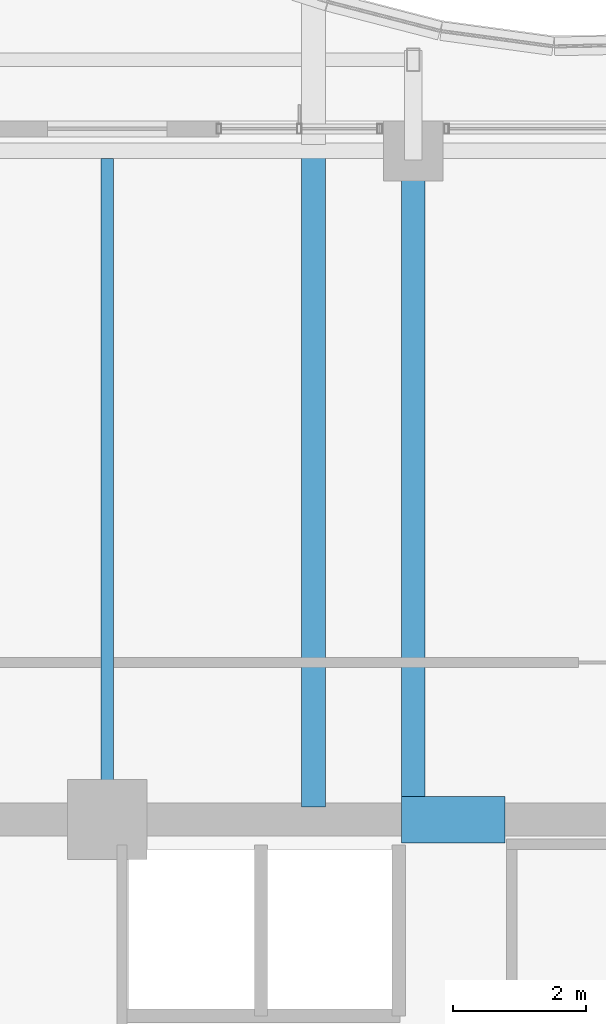
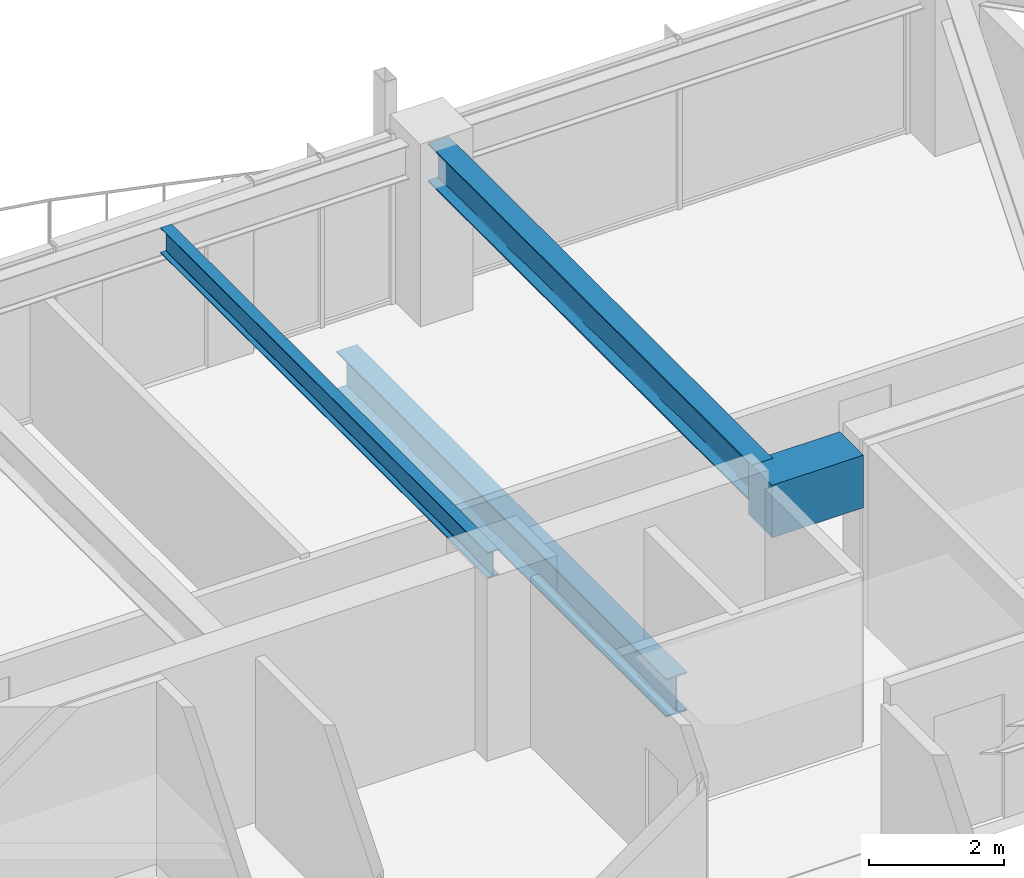
# One storey, part 19 of 37: 4 beams.
"""IFC4 building model written with IfcOpenShell, lengths in metres."""

from ifc_helpers import new_model, si_unit, direction, frame, origin, origin_2d, place, context, subcontext, project, spatial, rectangle, i_section, extrude, material, material_profile, profile_set, type_object, element, save


model = new_model("IFC4")

# Units and contexts
model_context = context("Model", 3, precision=1e-05, world=origin(), true_north=direction((0.0, 1.0)))
body_context = subcontext(model_context, "Body", "Model", "MODEL_VIEW")
ifc_project = project(units=[si_unit("LENGTHUNIT", "METRE"), si_unit("AREAUNIT", "SQUARE_METRE"), si_unit("VOLUMEUNIT", "CUBIC_METRE"), si_unit("PLANEANGLEUNIT", "RADIAN"), si_unit("MASSUNIT", "GRAM", prefix="KILO")], contexts=[model_context])

# Site, building, storey
site_placement = place(None, origin())
site = spatial("IfcSite", under=ifc_project, at=site_placement, CompositionType="ELEMENT")
building_placement = place(site_placement, origin())
building = spatial("IfcBuilding", under=site, at=building_placement, Name="Kolvaren Belvedere", CompositionType="ELEMENT")
storey_placement = place(building_placement, frame((0.0, 0.0, 173.39990234375)))
storey = spatial("IfcBuildingStorey", under=building, at=storey_placement, Name="L50", CompositionType="ELEMENT", Elevation=173.39990234375)

# Beams
ifc_material_1 = material(Name="Structural steel ASTM A992 Grade 50", Category="steel")
ifc_material_profile_1 = material_profile(ifc_material_1, i_section(OverallWidth=0.35498046875, OverallDepth=0.696044921875, WebThickness=0.015380859375, FlangeThickness=0.02490234375, FilletRadius=0.02197265625, at=origin_2d()), Name="W27X146")
ifc_profile_set_1 = profile_set([ifc_material_profile_1], Name="Structural steel ASTM A992 Grade 50")
beam_type_1 = type_object("IfcBeamType", Name="BM-GIRD-W27X146", PredefinedType="BEAM", material=ifc_profile_set_1)
beam_1_placement = place(storey_placement, frame((3.10009765625, 10.090087890625, -0.56787109375), z_axis=(0.0, 1.0, 0.0), x_axis=(-1.0, 0.0, 0.0)))
element("IfcBeam", 1, at=beam_1_placement, inside=storey, type_object=beam_type_1, Name="L50 Balcony Interior Back-Span Girder BAL-N-2", PredefinedType="BEAM", context=body_context, shape_type="SweptSolid", body=[
    extrude(i_section(OverallWidth=0.35498046875, OverallDepth=0.696044921875, WebThickness=0.015380859375, FlangeThickness=0.02490234375, FilletRadius=0.02197265625, at=origin_2d()), origin(), (0.0, 0.0, 1.0), 9.764892578125),
])
beam_2_placement = place(storey_placement, frame((4.60009765625, 10.14990234375, 2.732177734375), z_axis=(0.0, 1.0, 0.0), x_axis=(-1.0, 0.0, 0.0)))
element("IfcBeam", 2, at=beam_2_placement, inside=storey, type_object=beam_type_1, Name="L50 North Radial Girder P", PredefinedType="BEAM", context=body_context, shape_type="SweptSolid", body=[
    extrude(i_section(OverallWidth=0.35498046875, OverallDepth=0.696044921875, WebThickness=0.015380859375, FlangeThickness=0.02490234375, FilletRadius=0.02197265625, at=origin_2d()), origin(), (0.0, 0.0, 1.0), 9.59765625),
])
ifc_material_2 = material(Name="Structural steel ASTM A992 Grade 50", Category="steel")
ifc_material_profile_2 = material_profile(ifc_material_2, i_section(OverallWidth=0.19091796875, OverallDepth=0.4599609375, WebThickness=0.010009765625, FlangeThickness=0.01611328125, FilletRadius=0.014892578125, at=origin_2d()), Name="W18X55")
ifc_profile_set_2 = profile_set([ifc_material_profile_2], Name="Structural steel ASTM A992 Grade 50")
beam_type_2 = type_object("IfcBeamType", Name="BM-JOIST-W18X55", PredefinedType="BEAM", material=ifc_profile_set_2)
beam_3_placement = place(storey_placement, frame((0.0, 10.14990234375, 2.85009765625), z_axis=(0.0, 1.0, 0.0), x_axis=(-1.0, 0.0, 0.0)))
element("IfcBeam", 3, at=beam_3_placement, inside=storey, type_object=beam_type_2, Name="L50 North Centre Floor Beam", PredefinedType="BEAM", context=body_context, shape_type="SweptSolid", body=[
    extrude(i_section(OverallWidth=0.19091796875, OverallDepth=0.4599609375, WebThickness=0.010009765625, FlangeThickness=0.01611328125, FilletRadius=0.014892578125, at=origin_2d()), origin(), (0.0, 0.0, 1.0), 9.685546875),
])
ifc_material_3 = material(Name="Concrete C60/75", Category="concrete")
ifc_material_profile_3 = material_profile(ifc_material_3, rectangle(XDim=0.699951171875, YDim=0.949951171875, at=origin_2d()), Name="RC 700X950")
ifc_profile_set_3 = profile_set([ifc_material_profile_3], Name="Concrete C60/75")
beam_type_3 = type_object("IfcBeamType", Name="BM-LINT-950", PredefinedType="LINTEL", material=ifc_profile_set_3)
beam_4_placement = place(storey_placement, frame((4.419921875, 9.89990234375, 2.60498046875), z_axis=(1.0, 0.0, 0.0), x_axis=(0.0, 1.0, 0.0)))
element("IfcBeam", 4, at=beam_4_placement, inside=storey, type_object=beam_type_3, Name="L50 North Core Coupling Lintel", PredefinedType="LINTEL", context=body_context, shape_type="SweptSolid", body=[
    extrude(rectangle(XDim=0.699951171875, YDim=0.949951171875, at=origin_2d()), origin(), (0.0, 0.0, 1.0), 1.56005859375),
])

save(model, "model.ifc")
